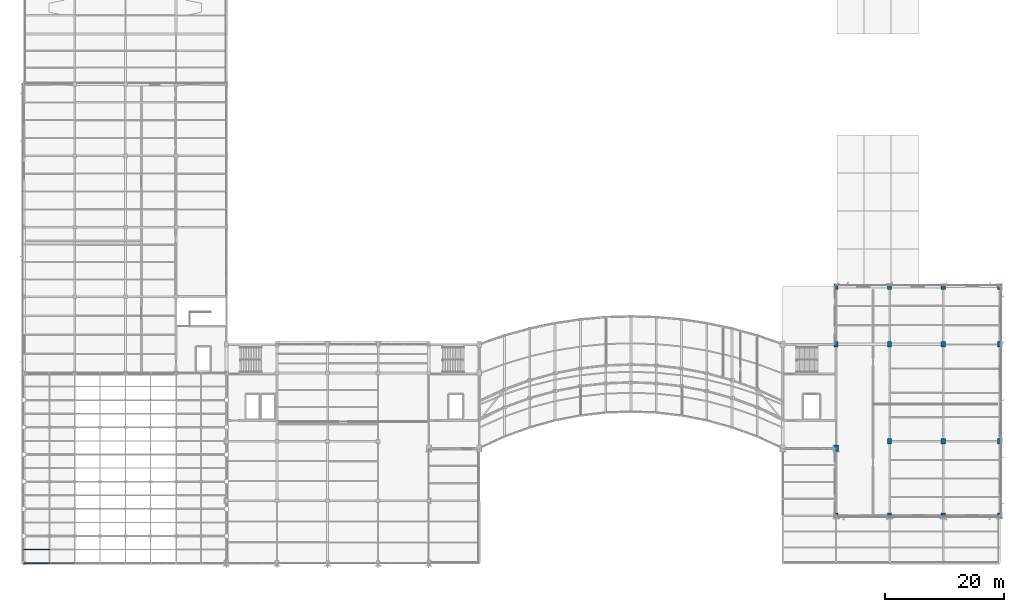
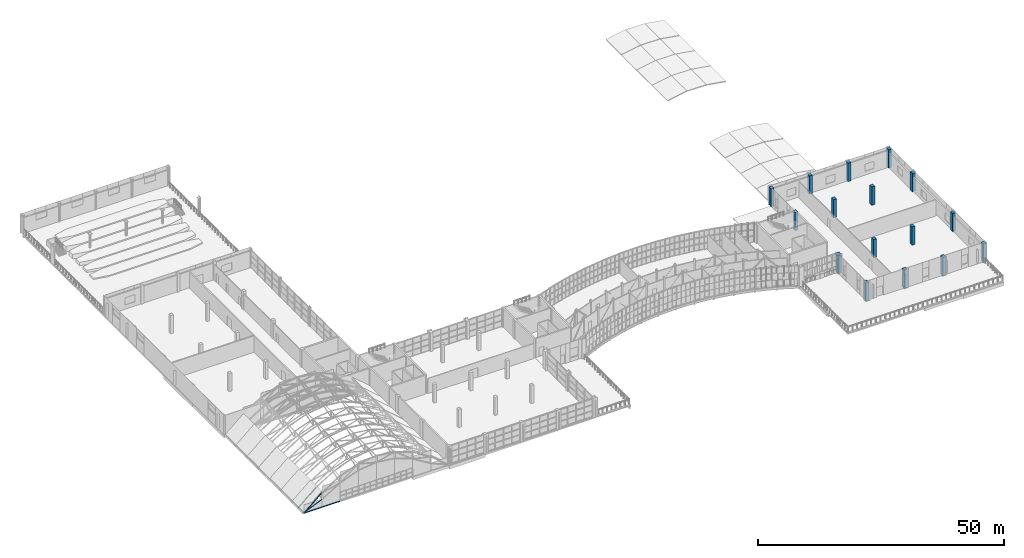
# One storey, part 7 of 86: 16 columns, 4 members, 1 beam.
"""IFC4 building model written with IfcOpenShell, lengths in metres."""

from ifc_helpers import new_model, si_unit, direction, frame, origin, origin_2d, place, context, subcontext, project, spatial, rectangle, hollow_rectangle, hollow_circle, i_section, extrude, material, material_profile, profile_set, type_object, element, save


model = new_model("IFC4")

# Units and contexts
model_context = context("Model", 3, precision=1e-05, world=origin(), true_north=direction((0.0, 1.0)))
body_context = subcontext(model_context, "Body", "Model", "MODEL_VIEW")
ifc_project = project(units=[si_unit("LENGTHUNIT", "METRE"), si_unit("AREAUNIT", "SQUARE_METRE"), si_unit("VOLUMEUNIT", "CUBIC_METRE"), si_unit("PLANEANGLEUNIT", "RADIAN"), si_unit("MASSUNIT", "GRAM", prefix="KILO")], contexts=[model_context])

# Site, building, storey
site_placement = place(None, origin())
site = spatial("IfcSite", under=ifc_project, at=site_placement, CompositionType="ELEMENT")
building_placement = place(site_placement, origin())
building = spatial("IfcBuilding", under=site, at=building_placement, Name="Solvikara Media Centre", CompositionType="ELEMENT")
storey_placement = place(building_placement, frame((0.0, 0.0, 15.0)))
storey = spatial("IfcBuildingStorey", under=building, at=storey_placement, Name="L03", CompositionType="ELEMENT", Elevation=15.0)

# Columns
ifc_material_1 = material(Name="Concrete fc' 45 MPa (C45/55)", Category="concrete")
ifc_material_profile_1 = material_profile(ifc_material_1, rectangle(XDim=0.699951171875, YDim=0.89990234375, at=origin_2d()), Name="RC 700x900")
ifc_profile_set_1 = profile_set([ifc_material_profile_1], Name="Concrete fc' 45 MPa (C45/55)")
column_type_1 = type_object("IfcColumnType", Name="CL-12", PredefinedType="COLUMN", material=ifc_profile_set_1)
for number, where, z_axis, x_axis, name in (
    (1, (136.5, 8.0, 0.0), (0.0, 0.0, 1.0), (1.0, 0.0, 0.0), "C-L03-1365-0080"),
    (2, (136.5, 36.800048828125, 0.0), (0.0, 0.0, 1.0), (1.0, 0.0, 0.0), "C-L03-1365-0368"),
    (3, (136.5, 46.5, 0.0), (0.0, 0.0, 1.0), (1.0, 0.0, 0.0), "C-L03-1365-0465"),
    (4, (145.5, 8.0, 0.0), (0.0, 0.0, 1.0), (1.0, 0.0, 0.0), "C-L03-1455-0080"),
    (5, (145.5, 20.5, 0.0), (0.0, 0.0, 1.0), (1.0, 0.0, 0.0), "C-L03-1455-0205"),
    (6, (145.5, 36.800048828125, 0.0), (0.0, 0.0, 1.0), (1.0, 0.0, 0.0), "C-L03-1455-0368"),
    (7, (145.5, 46.5, 0.0), (0.0, 0.0, 1.0), (1.0, 0.0, 0.0), "C-L03-1455-0465"),
    (8, (154.5, 8.0, 0.0), (0.0, 0.0, 1.0), (1.0, 0.0, 0.0), "C-L03-1545-0080"),
    (9, (154.5, 20.5, 0.0), (0.0, 0.0, 1.0), (1.0, 0.0, 0.0), "C-L03-1545-0205"),
    (10, (154.5, 36.800048828125, 0.0), (0.0, 0.0, 1.0), (1.0, 0.0, 0.0), "C-L03-1545-0368"),
    (11, (154.5, 46.5, 0.0), (0.0, 0.0, 1.0), (1.0, 0.0, 0.0), "C-L03-1545-0465"),
    (12, (164.0, 8.0, 0.0), (0.0, 0.0, 1.0), (1.0, 0.0, 0.0), "C-L03-1640-0080"),
    (13, (164.0, 20.5, 0.0), (0.0, 0.0, 1.0), (1.0, 0.0, 0.0), "C-L03-1640-0205"),
    (14, (164.0, 36.800048828125, 0.0), (0.0, 0.0, 1.0), (1.0, 0.0, 0.0), "C-L03-1640-0368"),
    (15, (164.0, 46.5, 0.0), (0.0, 0.0, 1.0), (1.0, 0.0, 0.0), "C-L03-1640-0465"),
):
    element("IfcColumn", number, at=place(storey_placement, frame(where, z_axis=z_axis, x_axis=x_axis)), inside=storey, type_object=column_type_1, Name=name, PredefinedType="COLUMN", context=body_context, shape_type="SweptSolid", body=[
        extrude(rectangle(XDim=0.699951171875, YDim=0.89990234375, at=origin_2d()), origin(), (0.0, 0.0, 1.0), 4.530029296875),
    ])
ifc_material_profile_2 = material_profile(ifc_material_1, rectangle(XDim=0.800048828125, YDim=1.10009765625, at=origin_2d()), Name="RC 800x1100")
ifc_profile_set_2 = profile_set([ifc_material_profile_2], Name="Concrete fc' 45 MPa (C45/55)")
column_type_2 = type_object("IfcColumnType", Name="CL-17", PredefinedType="COLUMN", material=ifc_profile_set_2)
column_placement = place(storey_placement, frame((136.5, 19.323974609375, 0.0), z_axis=(0.0, 0.0, 1.0), x_axis=(1.0, 0.0, 0.0)))
element("IfcColumn", 16, at=column_placement, inside=storey, type_object=column_type_2, Name="C-L03-1365-0193", PredefinedType="COLUMN", context=body_context, shape_type="SweptSolid", body=[
    extrude(rectangle(XDim=0.800048828125, YDim=1.10009765625, at=origin_2d()), origin(), (0.0, 0.0, 1.0), 4.530029296875),
])

# Beam
ifc_material_2 = material(Name="Steel S355JR", Category="steel")
ifc_material_profile_3 = material_profile(ifc_material_2, hollow_rectangle(XDim=0.14990234375, YDim=0.25, WallThickness=0.008056640625, at=origin_2d()), Name="RHS 250x150x8")
ifc_profile_set_3 = profile_set([ifc_material_profile_3], Name="Steel S355JR")
beam_type = type_object("IfcBeamType", Name="BM-36", PredefinedType="JOIST", material=ifc_profile_set_3)
beam_placement = place(storey_placement, frame((0.0, 0.0, -0.22509765625), z_axis=(1.0, 0.0, 0.0), x_axis=(0.0, 1.0, 0.0)))
element("IfcBeam", 17, at=beam_placement, inside=storey, type_object=beam_type, Name="B-L03-X1150", PredefinedType="JOIST", context=body_context, shape_type="SweptSolid", body=[
    extrude(hollow_rectangle(XDim=0.14990234375, YDim=0.25, WallThickness=0.008056640625, at=origin_2d()), origin(), (0.0, 0.0, 1.0), 8.5),
])

# Members
ifc_material_profile_4 = material_profile(ifc_material_2, hollow_circle(Radius=0.136474609375, WallThickness=0.010009765625, at=origin_2d()), Name="CHS 273x10")
ifc_profile_set_4 = profile_set([ifc_material_profile_4], Name="Steel S355JR")
member_type_1 = type_object("IfcMemberType", Name="MB-03", PredefinedType="CHORD", material=ifc_profile_set_4)
member_1_placement = place(storey_placement, frame((0.0, 0.0, -0.294921875), z_axis=(0.756439869263, 0.0, 0.654063241736), x_axis=(0.0, 1.0, 0.0)))
element("IfcMember", 18, at=member_1_placement, inside=storey, type_object=member_type_1, Name="Space Frame Vault Chord GC-TC-00-00", PredefinedType="CHORD", context=body_context, shape_type="SweptSolid", body=[
    extrude(hollow_circle(Radius=0.136474609375, WallThickness=0.010009765625, at=origin_2d()), origin(), (0.0, 0.0, 1.0), 5.618408203125),
])
ifc_material_profile_5 = material_profile(ifc_material_2, hollow_circle(Radius=0.122314453125, WallThickness=0.010009765625, at=origin_2d()), Name="CHS 244.5x10")
ifc_profile_set_5 = profile_set([ifc_material_profile_5], Name="Steel S355JR")
member_type_2 = type_object("IfcMemberType", Name="MB-04", PredefinedType="CHORD", material=ifc_profile_set_5)
member_2_placement = place(storey_placement, frame((0.0, 0.0, -0.10009765625), z_axis=(0.918466874624, 0.0, 0.395497914303), x_axis=(0.0, 1.0, 0.0)))
element("IfcMember", 19, at=member_2_placement, inside=storey, type_object=member_type_2, Name="GC-BC-00-00", PredefinedType="CHORD", context=body_context, shape_type="SweptSolid", body=[
    extrude(hollow_circle(Radius=0.122314453125, WallThickness=0.010009765625, at=origin_2d()), origin(), (0.0, 0.0, 1.0), 4.627197265625),
])
ifc_material_profile_6 = material_profile(ifc_material_2, hollow_circle(Radius=0.084228515625, WallThickness=0.007080078125, at=origin_2d()), Name="CHS 168.3x7.1")
ifc_profile_set_6 = profile_set([ifc_material_profile_6], Name="Steel S355JR")
member_type_3 = type_object("IfcMemberType", Name="MB-07", PredefinedType="BRACE", material=ifc_profile_set_6)
member_3_placement = place(storey_placement, frame((0.0, 0.0, -0.10009765625), z_axis=(0.773715650361, 0.0, 0.633533023911), x_axis=(0.0, 1.0, 0.0)))
element("IfcMember", 20, at=member_3_placement, inside=storey, type_object=member_type_3, Name="GC-DG-00-00", PredefinedType="BRACE", context=body_context, shape_type="SweptSolid", body=[
    extrude(hollow_circle(Radius=0.084228515625, WallThickness=0.007080078125, at=origin_2d()), origin(), (0.0, 0.0, 1.0), 5.492919921875),
])
ifc_material_profile_7 = material_profile(ifc_material_2, i_section(OverallWidth=0.10009765625, OverallDepth=0.199951171875, WebThickness=0.005615234375, FlangeThickness=0.008056640625, at=origin_2d()), Name="WF 200x100x5.5x8")
ifc_profile_set_7 = profile_set([ifc_material_profile_7], Name="Steel S355JR")
member_type_4 = type_object("IfcMemberType", Name="MB-21", PredefinedType="PURLIN", material=ifc_profile_set_7)
member_4_placement = place(storey_placement, frame((0.0, 2.284912109375, -0.360107421875), z_axis=(0.756418370394, 0.0, 0.654088104868), x_axis=(0.0, 1.0, 0.0)))
element("IfcMember", 21, at=member_4_placement, inside=storey, type_object=member_type_4, Name="GC-SUB-00-00", PredefinedType="PURLIN", context=body_context, shape_type="SweptSolid", body=[
    extrude(i_section(OverallWidth=0.10009765625, OverallDepth=0.199951171875, WebThickness=0.005615234375, FlangeThickness=0.008056640625, at=origin_2d()), origin(), (0.0, 0.0, 1.0), 5.61865234375),
])

save(model, "model.ifc")
